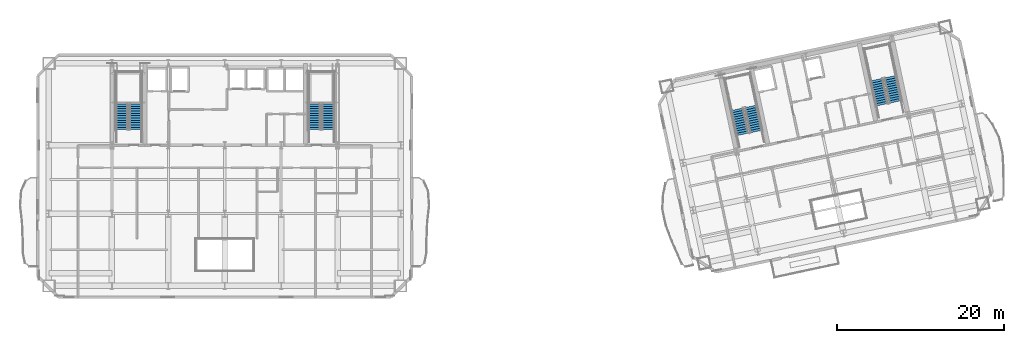
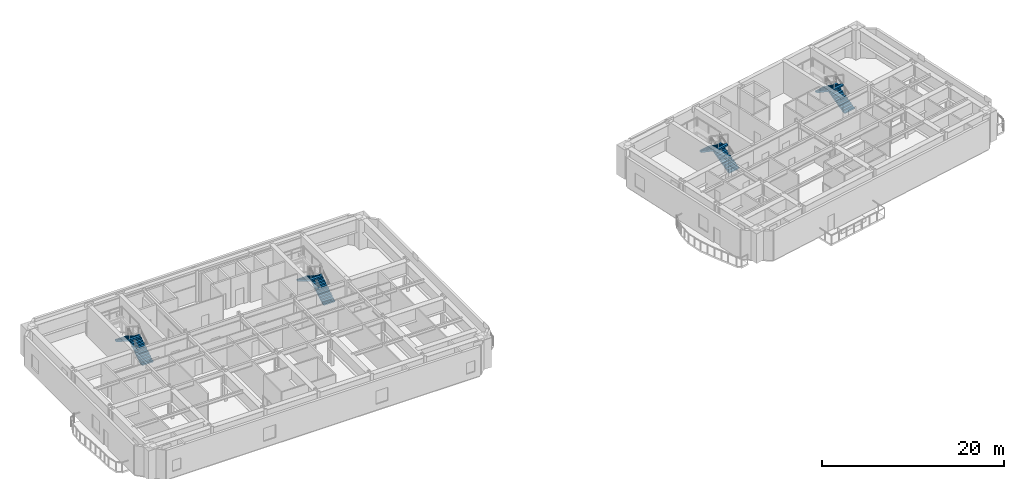
# One storey, part 11 of 15: 8 stair flights, 4 elements without a shape of their own.
"""IFC4 building model written with IfcOpenShell, lengths in metres."""

import ifcopenshell
import ifcopenshell.guid

model = None  # the IFC model being written
_history = None  # IfcOwnerHistory: only IFC2X3 demands one
_inside = {}  # id of a spatial element -> (the spatial element, [elements in it])
_under = {}  # id of a project, library or spatial element -> (it, [spatial elements below it])
_declared = {}  # id of a project -> (the project, [libraries it declares])
_typed = {}  # id of a type object -> (the type object, [elements of that type])
_made_of = {}  # id of a material, layer set ... -> (it, [elements and type objects made of it])


def new_model(schema):
    """Start an empty IFC model of exactly this schema.

    Asked for "IFC4X3", IfcOpenShell would pick the latest addendum, in which some entities
    have other attributes; the version numbers below select the first issue.
    IFC2X3 requires an IfcOwnerHistory on every rooted entity: one is made here for all.
    """
    global model, _history
    if schema == "IFC4X3":
        model = ifcopenshell.file(schema_version=(4, 3, 0, 0))
    else:
        model = ifcopenshell.file(schema=schema)
    _inside.clear()
    _under.clear()
    _declared.clear()
    _typed.clear()
    _made_of.clear()
    _history = None
    if model.schema == "IFC2X3":
        org = make("IfcOrganization", Name="unknown")
        user = make(
            "IfcPersonAndOrganization",
            ThePerson=make("IfcPerson", FamilyName="unknown"),
            TheOrganization=org,
        )
        app = make(
            "IfcApplication",
            ApplicationDeveloper=org,
            Version="unknown",
            ApplicationFullName="unknown",
            ApplicationIdentifier="unknown",
        )
        _history = make(
            "IfcOwnerHistory",
            OwningUser=user,
            OwningApplication=app,
            ChangeAction="ADDED",
            CreationDate=0,
        )
    return model


def make(cls, **values):
    """One entity of the class cls with the attributes given. An attribute that is None is left unset."""
    return model.create_entity(
        cls, **{name: value for name, value in values.items() if value is not None}
    )


def rooted(cls, **values):
    """An entity with a GlobalId (a new one), such as an element, a storey or a relation."""
    return make(cls, GlobalId=ifcopenshell.guid.new(), OwnerHistory=_history, **values)


def si_unit(unit_type, name, prefix=None):
    """IfcSIUnit, for example si_unit("LENGTHUNIT", "METRE", prefix="MILLI")."""
    return make("IfcSIUnit", UnitType=unit_type, Prefix=prefix, Name=name)


def assignment(units):
    """IfcUnitAssignment: the units of a project."""
    return None if units is None else make("IfcUnitAssignment", Units=units)


def point(xyz):
    """IfcCartesianPoint."""
    return None if xyz is None else make("IfcCartesianPoint", Coordinates=xyz)


def direction(xyz):
    """IfcDirection."""
    return None if xyz is None else make("IfcDirection", DirectionRatios=xyz)


def frame(location, z_axis=None, x_axis=None):
    """IfcAxis2Placement3D, a coordinate frame: its origin and axes. An axis left out is left unset."""
    return make(
        "IfcAxis2Placement3D",
        Location=point(location),
        Axis=direction(z_axis),
        RefDirection=direction(x_axis),
    )


def origin():
    """The frame at (0, 0, 0) with its axes left unset."""
    return frame((0.0, 0.0, 0.0))


def place(relative_to, where):
    """IfcLocalPlacement: puts the frame where relative to a parent placement (None: the world)."""
    return make(
        "IfcLocalPlacement", PlacementRelTo=relative_to, RelativePlacement=where
    )


def context(
    kind, dimensions, precision=None, world=None, true_north=None, identifier=None
):
    """IfcGeometricRepresentationContext, for example the 3D "Model" context."""
    return make(
        "IfcGeometricRepresentationContext",
        ContextIdentifier=identifier,
        ContextType=kind,
        CoordinateSpaceDimension=dimensions,
        Precision=precision,
        WorldCoordinateSystem=world,
        TrueNorth=true_north,
    )


def subcontext(parent, identifier, kind, view, scale=None):
    """IfcGeometricRepresentationSubContext, for example "Body" below "Model"."""
    return make(
        "IfcGeometricRepresentationSubContext",
        ContextIdentifier=identifier,
        ContextType=kind,
        ParentContext=parent,
        TargetScale=scale,
        TargetView=view,
    )


def project(units=None, contexts=None):
    """IfcProject with its units and contexts."""
    return rooted(
        "IfcProject",
        Name="project",
        RepresentationContexts=contexts,
        UnitsInContext=assignment(units),
    )


def spatial(cls, under=None, at=None, **own):
    """A site, building, storey or space (cls), placed at a placement, below another one or the project."""
    s = rooted(cls, ObjectPlacement=at, **own)
    if under is not None:
        _under.setdefault(under.id(), (under, []))[1].append(s)
    return s


def polyline(points):
    """IfcPolyline through the points."""
    return make("IfcPolyline", Points=[point(p) for p in points])


def outline(outer, holes=None, kind="AREA"):
    """IfcArbitraryClosedProfileDef: a profile drawn as a closed curve; with holes, ...WithVoids."""
    if holes is None:
        return make("IfcArbitraryClosedProfileDef", ProfileType=kind, OuterCurve=outer)
    return make(
        "IfcArbitraryProfileDefWithVoids",
        ProfileType=kind,
        OuterCurve=outer,
        InnerCurves=holes,
    )


def extrude(swept, where, along, depth):
    """IfcExtrudedAreaSolid: the profile swept, set in the frame where, extruded along a direction by depth."""
    return make(
        "IfcExtrudedAreaSolid",
        SweptArea=swept,
        Position=where,
        ExtrudedDirection=direction(along),
        Depth=depth,
    )


def shape(context_of_items, identifier, shape_type, items):
    """IfcShapeRepresentation: the items that make up one representation, for example the "Body"."""
    return make(
        "IfcShapeRepresentation",
        ContextOfItems=context_of_items,
        RepresentationIdentifier=identifier,
        RepresentationType=shape_type,
        Items=items,
    )


def material(Name=None, Category=None):
    """IfcMaterial."""
    return make("IfcMaterial", Name=Name, Category=Category)


def made_of(thing, what):
    """Note that an element or type object is made of a material, layer set ...; save() writes the relation."""
    if what is not None:
        _made_of.setdefault(what.id(), (what, []))[1].append(thing)
    return thing


def type_object(cls, material=None, **own):
    """A type object (cls), such as IfcWallType, which elements share."""
    return made_of(rooted(cls, **own), material)


def element(
    cls,
    number,
    at=None,
    inside=None,
    cuts=None,
    type_object=None,
    material=None,
    context=None,
    identifier="Body",
    shape_type=None,
    held_by="IfcProductDefinitionShape",
    body=None,
    shapes=None,
    **own,
):
    """One element of the class cls, such as IfcWall. Its Tag is "e" and its number.

    at: its placement. inside: the storey or other place that contains it. cuts: it is an
    opening in that element (IfcRelVoidsElement). A single representation is given by context,
    identifier, shape_type and body (its items); several are given by shapes. held_by: the class
    of the entity that holds the representations. save() writes the other relations.
    """
    e = rooted(cls, Tag="e%d" % number, ObjectPlacement=at, **own)
    if body is not None:
        shapes = [shape(context, identifier, shape_type, body)]
    if shapes is not None:
        e.Representation = make(held_by, Representations=shapes)
    if inside is not None:
        _inside.setdefault(inside.id(), (inside, []))[1].append(e)
    if cuts is not None:
        rooted(
            "IfcRelVoidsElement", RelatingBuildingElement=cuts, RelatedOpeningElement=e
        )
    if type_object is not None:
        _typed.setdefault(type_object.id(), (type_object, []))[1].append(e)
    return made_of(e, material)


def aggregate(whole, parts):
    """IfcRelAggregates: a whole, such as a stair, and the parts it consists of."""
    return rooted("IfcRelAggregates", RelatingObject=whole, RelatedObjects=parts)


def save(model, path):
    """Write the relations noted so far, then the file.

    IfcRelAggregates (storeys below a building ...), IfcRelContainedInSpatialStructure (elements
    in a storey), IfcRelDefinesByType, IfcRelAssociatesMaterial and IfcRelDeclares: one each for
    every whole, place, type object, material and project.
    """
    for whole, parts in _under.values():
        aggregate(whole, parts)
    for where, things in _inside.values():
        rooted(
            "IfcRelContainedInSpatialStructure",
            RelatedElements=things,
            RelatingStructure=where,
        )
    for kind, things in _typed.values():
        rooted("IfcRelDefinesByType", RelatedObjects=things, RelatingType=kind)
    for what, things in _made_of.values():
        rooted("IfcRelAssociatesMaterial", RelatedObjects=things, RelatingMaterial=what)
    for by, libraries in _declared.values():
        rooted("IfcRelDeclares", RelatingContext=by, RelatedDefinitions=libraries)
    model.write(path)


model = new_model("IFC4")

# Units and contexts
model_context = context("Model", 3, precision=1e-05, world=origin(), true_north=direction((0.0, 1.0)))
body_context = subcontext(model_context, "Body", "Model", "MODEL_VIEW")
ifc_project = project(units=[si_unit("LENGTHUNIT", "METRE"), si_unit("AREAUNIT", "SQUARE_METRE"), si_unit("VOLUMEUNIT", "CUBIC_METRE"), si_unit("PLANEANGLEUNIT", "RADIAN"), si_unit("MASSUNIT", "GRAM", prefix="KILO")], contexts=[model_context])

# Site, building, storey
site_placement = place(None, origin())
site = spatial("IfcSite", under=ifc_project, at=site_placement, CompositionType="ELEMENT")
building_placement = place(site_placement, origin())
building = spatial("IfcBuilding", under=site, at=building_placement, Name="Haevon Station Towers", CompositionType="ELEMENT")
storey_placement = place(building_placement, frame((0.0, 0.0, 129.60009765625)))
storey = spatial("IfcBuildingStorey", under=building, at=storey_placement, Name="L35", CompositionType="ELEMENT", Elevation=129.60009765625)

# Stair, stair flights
ifc_material = material(Name="Concrete C40/50", Category="concrete")
stair_type = type_object("IfcStairType", Name="STR-DL1450", PredefinedType="USERDEFINED", material=ifc_material)
stair_1_placement = place(storey_placement, origin())
stair_1 = element("IfcStair", 1, at=stair_1_placement, inside=storey, type_object=stair_type, Name="L35 Escape Stair ST1", ObjectType="TWO_RETURN_STAIR", PredefinedType="USERDEFINED")
stair_flight_type = type_object("IfcStairFlightType", Name="STF-ST1450", PredefinedType="STRAIGHT", material=ifc_material)
stair_flight_1_placement = place(storey_placement, frame((26.85498046875, 40.050048828125, 0.0), z_axis=(0.0, 0.0, 1.0), x_axis=(0.0, 1.0, 0.0)))
stair_flight_1 = element("IfcStairFlight", 2, at=stair_flight_1_placement, type_object=stair_flight_type, Name="L35 ST1 Flight 1", NumberOfRisers=12, NumberOfTreads=11, PredefinedType="STRAIGHT", RiserHeight=0.175, TreadLength=0.28, context=body_context, shape_type="SweptSolid", body=[
    extrude(outline(polyline([(0.0, 0.0), (0.0, 0.175048828125), (0.280029296875, 0.175048828125), (0.280029296875, 0.35009765625), (0.56005859375, 0.35009765625), (0.56005859375, 0.52490234375), (0.840087890625, 0.52490234375), (0.840087890625, 0.699951171875), (1.1201171875, 0.699951171875), (1.1201171875, 0.875), (1.39990234375, 0.875), (1.39990234375, 1.050048828125), (1.679931640625, 1.050048828125), (1.679931640625, 1.22509765625), (1.9599609375, 1.22509765625), (1.9599609375, 1.39990234375), (2.239990234375, 1.39990234375), (2.239990234375, 1.574951171875), (2.52001953125, 1.574951171875), (2.52001953125, 1.75), (2.800048828125, 1.75), (2.800048828125, 1.925048828125), (3.080078125, 1.925048828125), (3.080078125, 2.10009765625), (3.080078125, 1.736328125), (0.3017578125, 0.0), (0.0, 0.0)])), frame((0.0, 0.72509765625, 0.0), z_axis=(0.0, -1.0, 0.0), x_axis=(1.0, 0.0, 0.0)), (0.0, 0.0, 1.0), 1.449951171875),
])
stair_flight_2_placement = place(storey_placement, frame((25.205078125, 43.1298828125, 2.099853515625), z_axis=(0.0, 0.0, 1.0), x_axis=(0.0, -1.0, 0.0)))
stair_flight_2 = element("IfcStairFlight", 3, at=stair_flight_2_placement, type_object=stair_flight_type, Name="L35 ST1 Flight 2", NumberOfRisers=12, NumberOfTreads=11, PredefinedType="STRAIGHT", RiserHeight=0.175, TreadLength=0.28, context=body_context, shape_type="SweptSolid", body=[
    extrude(outline(polyline([(0.0, 0.0), (0.0, 0.175048828125), (0.280029296875, 0.175048828125), (0.280029296875, 0.35009765625), (0.56005859375, 0.35009765625), (0.56005859375, 0.52490234375), (0.840087890625, 0.52490234375), (0.840087890625, 0.699951171875), (1.1201171875, 0.699951171875), (1.1201171875, 0.875), (1.39990234375, 0.875), (1.39990234375, 1.050048828125), (1.679931640625, 1.050048828125), (1.679931640625, 1.22509765625), (1.9599609375, 1.22509765625), (1.9599609375, 1.39990234375), (2.239990234375, 1.39990234375), (2.239990234375, 1.574951171875), (2.52001953125, 1.574951171875), (2.52001953125, 1.75), (2.800048828125, 1.75), (2.800048828125, 1.925048828125), (3.080078125, 1.925048828125), (3.080078125, 2.10009765625), (3.080078125, 1.736328125), (0.3017578125, 0.0), (0.0, 0.0)])), frame((0.0, 0.72509765625, 0.0), z_axis=(0.0, -1.0, 0.0), x_axis=(1.0, 0.0, 0.0)), (0.0, 0.0, 1.0), 1.449951171875),
])
aggregate(stair_1, [stair_flight_1, stair_flight_2])

stair_2_placement = place(storey_placement, origin())
stair_2 = element("IfcStair", 4, at=stair_2_placement, inside=storey, type_object=stair_type, Name="L35 Escape Stair ST2", ObjectType="TWO_RETURN_STAIR", PredefinedType="USERDEFINED")
stair_flight_3_placement = place(storey_placement, frame((49.89501953125, 40.050048828125, 0.0), z_axis=(0.0, 0.0, 1.0), x_axis=(0.0, 1.0, 0.0)))
stair_flight_3 = element("IfcStairFlight", 5, at=stair_flight_3_placement, type_object=stair_flight_type, Name="L35 ST2 Flight 1", NumberOfRisers=12, NumberOfTreads=11, PredefinedType="STRAIGHT", RiserHeight=0.175, TreadLength=0.28, context=body_context, shape_type="SweptSolid", body=[
    extrude(outline(polyline([(0.0, 0.0), (0.0, 0.175048828125), (0.280029296875, 0.175048828125), (0.280029296875, 0.35009765625), (0.56005859375, 0.35009765625), (0.56005859375, 0.52490234375), (0.840087890625, 0.52490234375), (0.840087890625, 0.699951171875), (1.1201171875, 0.699951171875), (1.1201171875, 0.875), (1.39990234375, 0.875), (1.39990234375, 1.050048828125), (1.679931640625, 1.050048828125), (1.679931640625, 1.22509765625), (1.9599609375, 1.22509765625), (1.9599609375, 1.39990234375), (2.239990234375, 1.39990234375), (2.239990234375, 1.574951171875), (2.52001953125, 1.574951171875), (2.52001953125, 1.75), (2.800048828125, 1.75), (2.800048828125, 1.925048828125), (3.080078125, 1.925048828125), (3.080078125, 2.10009765625), (3.080078125, 1.736328125), (0.3017578125, 0.0), (0.0, 0.0)])), frame((0.0, 0.72509765625, 0.0), z_axis=(0.0, -1.0, 0.0), x_axis=(1.0, 0.0, 0.0)), (0.0, 0.0, 1.0), 1.449951171875),
])
stair_flight_4_placement = place(storey_placement, frame((48.2451171875, 43.1298828125, 2.099853515625), z_axis=(0.0, 0.0, 1.0), x_axis=(0.0, -1.0, 0.0)))
stair_flight_4 = element("IfcStairFlight", 6, at=stair_flight_4_placement, type_object=stair_flight_type, Name="L35 ST2 Flight 2", NumberOfRisers=12, NumberOfTreads=11, PredefinedType="STRAIGHT", RiserHeight=0.175, TreadLength=0.28, context=body_context, shape_type="SweptSolid", body=[
    extrude(outline(polyline([(0.0, 0.0), (0.0, 0.175048828125), (0.280029296875, 0.175048828125), (0.280029296875, 0.35009765625), (0.56005859375, 0.35009765625), (0.56005859375, 0.52490234375), (0.840087890625, 0.52490234375), (0.840087890625, 0.699951171875), (1.1201171875, 0.699951171875), (1.1201171875, 0.875), (1.39990234375, 0.875), (1.39990234375, 1.050048828125), (1.679931640625, 1.050048828125), (1.679931640625, 1.22509765625), (1.9599609375, 1.22509765625), (1.9599609375, 1.39990234375), (2.239990234375, 1.39990234375), (2.239990234375, 1.574951171875), (2.52001953125, 1.574951171875), (2.52001953125, 1.75), (2.800048828125, 1.75), (2.800048828125, 1.925048828125), (3.080078125, 1.925048828125), (3.080078125, 2.10009765625), (3.080078125, 1.736328125), (0.3017578125, 0.0), (0.0, 0.0)])), frame((0.0, 0.72509765625, 0.0), z_axis=(0.0, -1.0, 0.0), x_axis=(1.0, 0.0, 0.0)), (0.0, 0.0, 1.0), 1.449951171875),
])
aggregate(stair_2, [stair_flight_3, stair_flight_4])

stair_3_placement = place(storey_placement, origin())
stair_3 = element("IfcStair", 7, at=stair_3_placement, inside=storey, type_object=stair_type, Name="L35 Escape Stair ST3", ObjectType="TWO_RETURN_STAIR", PredefinedType="USERDEFINED")
stair_flight_5_placement = place(storey_placement, frame((101.1015625, 39.8330078125, 0.0), z_axis=(0.0, 0.0, 1.0), x_axis=(-0.207911690818, 0.978147600734, 0.0)))
stair_flight_5 = element("IfcStairFlight", 8, at=stair_flight_5_placement, type_object=stair_flight_type, Name="L35 ST3 Flight 1", NumberOfRisers=12, NumberOfTreads=11, PredefinedType="STRAIGHT", RiserHeight=0.175, TreadLength=0.28, context=body_context, shape_type="SweptSolid", body=[
    extrude(outline(polyline([(0.0, 0.0), (0.0, 0.175048828125), (0.280029296875, 0.175048828125), (0.280029296875, 0.35009765625), (0.56005859375, 0.35009765625), (0.56005859375, 0.52490234375), (0.840087890625, 0.52490234375), (0.840087890625, 0.699951171875), (1.1201171875, 0.699951171875), (1.1201171875, 0.875), (1.39990234375, 0.875), (1.39990234375, 1.050048828125), (1.679931640625, 1.050048828125), (1.679931640625, 1.22509765625), (1.9599609375, 1.22509765625), (1.9599609375, 1.39990234375), (2.239990234375, 1.39990234375), (2.239990234375, 1.574951171875), (2.52001953125, 1.574951171875), (2.52001953125, 1.75), (2.800048828125, 1.75), (2.800048828125, 1.925048828125), (3.080078125, 1.925048828125), (3.080078125, 2.10009765625), (3.080078125, 1.736328125), (0.3017578125, 0.0), (0.0, 0.0)])), frame((0.0, 0.72509765625, 0.0), z_axis=(0.0, -1.0, 0.0), x_axis=(1.0, 0.0, 0.0)), (0.0, 0.0, 1.0), 1.449951171875),
])
stair_flight_6_placement = place(storey_placement, frame((98.847412109375, 42.502685546875, 2.099853515625), z_axis=(0.0, 0.0, 1.0), x_axis=(0.207911690818, -0.978147600734, 0.0)))
stair_flight_6 = element("IfcStairFlight", 9, at=stair_flight_6_placement, type_object=stair_flight_type, Name="L35 ST3 Flight 2", NumberOfRisers=12, NumberOfTreads=11, PredefinedType="STRAIGHT", RiserHeight=0.175, TreadLength=0.28, context=body_context, shape_type="SweptSolid", body=[
    extrude(outline(polyline([(0.0, 0.0), (0.0, 0.175048828125), (0.280029296875, 0.175048828125), (0.280029296875, 0.35009765625), (0.56005859375, 0.35009765625), (0.56005859375, 0.52490234375), (0.840087890625, 0.52490234375), (0.840087890625, 0.699951171875), (1.1201171875, 0.699951171875), (1.1201171875, 0.875), (1.39990234375, 0.875), (1.39990234375, 1.050048828125), (1.679931640625, 1.050048828125), (1.679931640625, 1.22509765625), (1.9599609375, 1.22509765625), (1.9599609375, 1.39990234375), (2.239990234375, 1.39990234375), (2.239990234375, 1.574951171875), (2.52001953125, 1.574951171875), (2.52001953125, 1.75), (2.800048828125, 1.75), (2.800048828125, 1.925048828125), (3.080078125, 1.925048828125), (3.080078125, 2.10009765625), (3.080078125, 1.736328125), (0.3017578125, 0.0), (0.0, 0.0)])), frame((0.0, 0.72509765625, 0.0), z_axis=(0.0, -1.0, 0.0), x_axis=(1.0, 0.0, 0.0)), (0.0, 0.0, 1.0), 1.449951171875),
])
aggregate(stair_3, [stair_flight_5, stair_flight_6])

stair_4_placement = place(storey_placement, origin())
stair_4 = element("IfcStair", 10, at=stair_4_placement, inside=storey, type_object=stair_type, Name="L35 Escape Stair ST4", ObjectType="TWO_RETURN_STAIR", PredefinedType="USERDEFINED")
stair_flight_7_placement = place(storey_placement, frame((117.788818359375, 43.380126953125, 0.0), z_axis=(0.0, 0.0, 1.0), x_axis=(-0.207911690818, 0.978147600734, 0.0)))
stair_flight_7 = element("IfcStairFlight", 11, at=stair_flight_7_placement, type_object=stair_flight_type, Name="L35 ST4 Flight 1", NumberOfRisers=12, NumberOfTreads=11, PredefinedType="STRAIGHT", RiserHeight=0.175, TreadLength=0.28, context=body_context, shape_type="SweptSolid", body=[
    extrude(outline(polyline([(0.0, 0.0), (0.0, 0.175048828125), (0.280029296875, 0.175048828125), (0.280029296875, 0.35009765625), (0.56005859375, 0.35009765625), (0.56005859375, 0.52490234375), (0.840087890625, 0.52490234375), (0.840087890625, 0.699951171875), (1.1201171875, 0.699951171875), (1.1201171875, 0.875), (1.39990234375, 0.875), (1.39990234375, 1.050048828125), (1.679931640625, 1.050048828125), (1.679931640625, 1.22509765625), (1.9599609375, 1.22509765625), (1.9599609375, 1.39990234375), (2.239990234375, 1.39990234375), (2.239990234375, 1.574951171875), (2.52001953125, 1.574951171875), (2.52001953125, 1.75), (2.800048828125, 1.75), (2.800048828125, 1.925048828125), (3.080078125, 1.925048828125), (3.080078125, 2.10009765625), (3.080078125, 1.736328125), (0.3017578125, 0.0), (0.0, 0.0)])), frame((0.0, 0.72509765625, 0.0), z_axis=(0.0, -1.0, 0.0), x_axis=(1.0, 0.0, 0.0)), (0.0, 0.0, 1.0), 1.449951171875),
])
stair_flight_8_placement = place(storey_placement, frame((115.534423828125, 46.0498046875, 2.099853515625), z_axis=(0.0, 0.0, 1.0), x_axis=(0.207911690818, -0.978147600734, 0.0)))
stair_flight_8 = element("IfcStairFlight", 12, at=stair_flight_8_placement, type_object=stair_flight_type, Name="L35 ST4 Flight 2", NumberOfRisers=12, NumberOfTreads=11, PredefinedType="STRAIGHT", RiserHeight=0.175, TreadLength=0.28, context=body_context, shape_type="SweptSolid", body=[
    extrude(outline(polyline([(0.0, 0.0), (0.0, 0.175048828125), (0.280029296875, 0.175048828125), (0.280029296875, 0.35009765625), (0.56005859375, 0.35009765625), (0.56005859375, 0.52490234375), (0.840087890625, 0.52490234375), (0.840087890625, 0.699951171875), (1.1201171875, 0.699951171875), (1.1201171875, 0.875), (1.39990234375, 0.875), (1.39990234375, 1.050048828125), (1.679931640625, 1.050048828125), (1.679931640625, 1.22509765625), (1.9599609375, 1.22509765625), (1.9599609375, 1.39990234375), (2.239990234375, 1.39990234375), (2.239990234375, 1.574951171875), (2.52001953125, 1.574951171875), (2.52001953125, 1.75), (2.800048828125, 1.75), (2.800048828125, 1.925048828125), (3.080078125, 1.925048828125), (3.080078125, 2.10009765625), (3.080078125, 1.736328125), (0.3017578125, 0.0), (0.0, 0.0)])), frame((0.0, 0.72509765625, 0.0), z_axis=(0.0, -1.0, 0.0), x_axis=(1.0, 0.0, 0.0)), (0.0, 0.0, 1.0), 1.449951171875),
])
aggregate(stair_4, [stair_flight_7, stair_flight_8])

save(model, "model.ifc")
